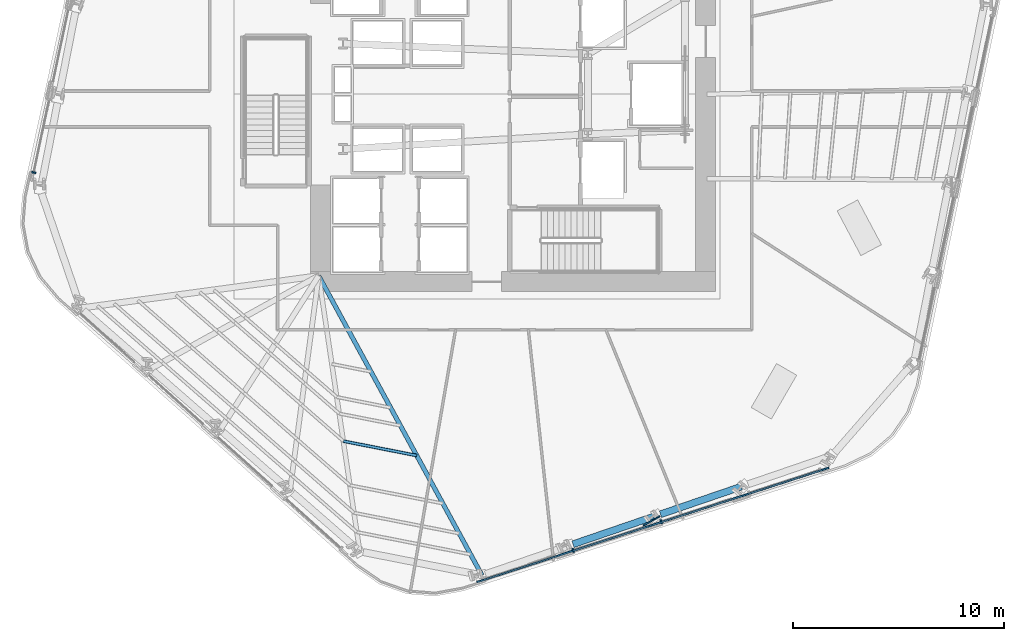
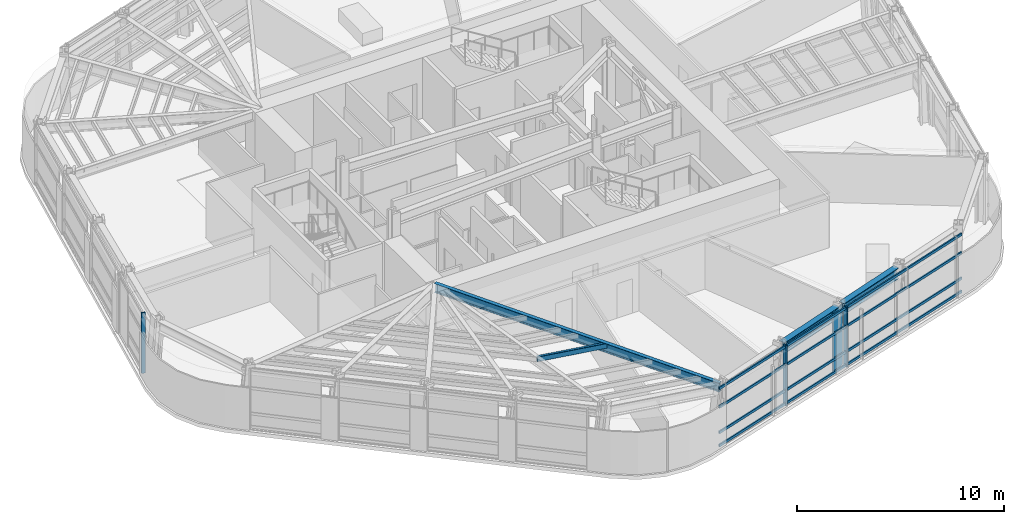
# One storey, part 3 of 16: 9 members, 3 beams, 2 elements without a shape of their own.
"""IFC4 building model written with IfcOpenShell, lengths in metres."""

from ifc_helpers import new_model, si_unit, direction, frame, origin, origin_2d, place, context, subcontext, project, spatial, rectangle, hollow_rectangle, i_section, extrude, material, layer, layer_set, material_profile, profile_set, type_object, element, aggregate, save


model = new_model("IFC4")

# Units and contexts
model_context = context("Model", 3, precision=1e-05, world=origin(), true_north=direction((0.0, 1.0)))
body_context = subcontext(model_context, "Body", "Model", "MODEL_VIEW")
ifc_project = project(units=[si_unit("LENGTHUNIT", "METRE"), si_unit("AREAUNIT", "SQUARE_METRE"), si_unit("VOLUMEUNIT", "CUBIC_METRE"), si_unit("PLANEANGLEUNIT", "RADIAN"), si_unit("MASSUNIT", "GRAM", prefix="KILO")], contexts=[model_context])

# Site, building, storey
site_placement = place(None, origin())
site = spatial("IfcSite", under=ifc_project, at=site_placement, CompositionType="ELEMENT")
building_placement = place(site_placement, origin())
building = spatial("IfcBuilding", under=site, at=building_placement, Name="Valkerne Bourse Tower", CompositionType="ELEMENT")
storey_placement = place(building_placement, frame((0.0, 0.0, 101.0)))
storey = spatial("IfcBuildingStorey", under=building, at=storey_placement, Name="L25", CompositionType="ELEMENT", Elevation=101.0)

# Beams
ifc_material_1 = material(Name="Steel ASTM A992", Category="steel")
ifc_material_profile_1 = material_profile(ifc_material_1, i_section(OverallWidth=0.209228515625, OverallDepth=0.533447265625, WebThickness=0.01025390625, FlangeThickness=0.015625, FilletRadius=0.017822265625, at=origin_2d()), Name="W21X62")
ifc_profile_set_1 = profile_set([ifc_material_profile_1], Name="Steel ASTM A992")
beam_type_1 = type_object("IfcBeamType", Name="BM-W21X62", PredefinedType="JOIST", material=ifc_profile_set_1)
beam_placement = place(storey_placement, frame((45.33740234375, 4.209716796875, 3.313232421875), z_axis=(-0.478718774735, 0.87796829938, 0.0), x_axis=(-0.87796829938, -0.478718774735, 0.0)))
element("IfcBeam", 1, at=beam_placement, inside=storey, type_object=beam_type_1, Name="L25 Radial Composite Floor Beam 20", PredefinedType="JOIST", context=body_context, shape_type="SweptSolid", body=[
    extrude(i_section(OverallWidth=0.209228515625, OverallDepth=0.533447265625, WebThickness=0.01025390625, FlangeThickness=0.015625, FilletRadius=0.017822265625, at=origin_2d()), origin(), (0.0, 0.0, 1.0), 16.16259765625),
])
ifc_material_profile_2 = material_profile(ifc_material_1, i_section(OverallWidth=0.330078125, OverallDepth=0.647705078125, WebThickness=0.0205078125, FlangeThickness=0.037109375, FilletRadius=0.020263671875, at=origin_2d()), Name="W24X192")
ifc_profile_set_2 = profile_set([ifc_material_profile_2], Name="Steel ASTM A992")
beam_type_2 = type_object("IfcBeamType", Name="BM-W24X192", PredefinedType="SPANDREL", material=ifc_profile_set_2)
for number, where, z_axis, x_axis, name in (
    (2, (49.644775390625, 5.6845703125, 3.256103515625), (0.946091935333, 0.323898209161, 0.0), (-0.323898209161, 0.946091935333, 0.0), "L25 Hexagonal Spandrel Ring Beam 21"),
    (3, (53.79150390625, 7.104248046875, 3.256103515625), (0.946091935333, 0.323898209161, 0.0), (-0.323898209161, 0.946091935333, 0.0), "L25 Hexagonal Spandrel Ring Beam 22"),
):
    element("IfcBeam", number, at=place(storey_placement, frame(where, z_axis=z_axis, x_axis=x_axis)), inside=storey, type_object=beam_type_2, Name=name, PredefinedType="SPANDREL", context=body_context, shape_type="SweptSolid", body=[
        extrude(i_section(OverallWidth=0.330078125, OverallDepth=0.647705078125, WebThickness=0.0205078125, FlangeThickness=0.037109375, FilletRadius=0.020263671875, at=origin_2d()), origin(), (0.0, 0.0, 1.0), 4.043212890625),
    ])

# Curtain wall, member
ifc_material_2 = material(Name="Aluminium AA 6063-T6", Category="aluminium")
ifc_layer = layer(ifc_material_2, 0.22998046875)
ifc_layer_set = layer_set([ifc_layer], Name="Aluminium AA 6063-T6")
curtain_wall_type = type_object("IfcCurtainWallType", Name="CW-02", PredefinedType="NOTDEFINED", material=ifc_layer_set)
curtain_wall_1_placement = place(storey_placement, origin())
curtain_wall_1 = element("IfcCurtainWall", 4, at=curtain_wall_1_placement, inside=storey, type_object=curtain_wall_type, Name="L25 Hexagonal Stick Curtain Wall Face 3", PredefinedType="NOTDEFINED")
ifc_material_profile_3 = material_profile(ifc_material_2, rectangle(XDim=0.074951171875, YDim=0.199951171875, at=origin_2d()), Name="CWM-75X200")
ifc_profile_set_3 = profile_set([ifc_material_profile_3], Name="Aluminium AA 6063-T6")
member_type_1 = type_object("IfcMemberType", Name="CW-MUL-220X75", PredefinedType="MULLION", material=ifc_profile_set_3)
member_1_placement = place(storey_placement, frame((24.105224609375, 23.29150390625, 0.0), z_axis=(0.0, 0.0, 1.0), x_axis=(-0.207913055801, -0.978147310597, 0.0)))
member_1 = element("IfcMember", 5, at=member_1_placement, type_object=member_type_1, Name="CW-L25-F3 Jamb Mullion 03B", PredefinedType="MULLION", context=body_context, shape_type="SweptSolid", body=[
    extrude(rectangle(XDim=0.074951171875, YDim=0.199951171875, at=origin_2d()), origin(), (0.0, 0.0, 1.0), 3.580078125),
])
aggregate(curtain_wall_1, [member_1])

# Curtain wall, members
curtain_wall_2_placement = place(storey_placement, origin())
curtain_wall_2 = element("IfcCurtainWall", 6, at=curtain_wall_2_placement, inside=storey, type_object=curtain_wall_type, Name="L25 Hexagonal Stick Curtain Wall Face 5", PredefinedType="NOTDEFINED")
member_2_placement = place(storey_placement, frame((49.652587890625, 5.396484375, 0.0), z_axis=(0.0, 0.0, 1.0), x_axis=(0.951058377242, 0.309011266911, 0.0)))
member_2 = element("IfcMember", 7, at=member_2_placement, type_object=member_type_1, Name="CW-L25-F5 Jamb Mullion 01A", PredefinedType="MULLION", context=body_context, shape_type="SweptSolid", body=[
    extrude(rectangle(XDim=0.074951171875, YDim=0.199951171875, at=origin_2d()), origin(), (0.0, 0.0, 1.0), 3.580078125),
])
member_3_placement = place(storey_placement, frame((53.821044921875, 6.750732421875, 0.0), z_axis=(0.0, 0.0, 1.0), x_axis=(0.951056198577, 0.309017972209, 0.0)))
member_3 = element("IfcMember", 8, at=member_3_placement, type_object=member_type_1, Name="CW-L25-F5 Jamb Mullion 02A", PredefinedType="MULLION", context=body_context, shape_type="SweptSolid", body=[
    extrude(rectangle(XDim=0.074951171875, YDim=0.199951171875, at=origin_2d()), origin(), (0.0, 0.0, 1.0), 3.580078125),
])
ifc_material_profile_4 = material_profile(ifc_material_2, rectangle(XDim=0.074951171875, YDim=0.14990234375, at=origin_2d()), Name="CWT-75X150")
ifc_profile_set_4 = profile_set([ifc_material_profile_4], Name="Aluminium AA 6063-T6")
member_type_2 = type_object("IfcMemberType", Name="CW-TRN-180X65", PredefinedType="USERDEFINED", material=ifc_profile_set_4)
member_4_placement = place(storey_placement, frame((45.0908203125, 3.89306640625, 0.1201171875), z_axis=(0.951055352246, 0.309020576925, 0.0), x_axis=(-0.309020576925, 0.951055352246, 0.0)))
member_4 = element("IfcMember", 9, at=member_4_placement, type_object=member_type_2, Name="CW-L25-F5 Continuous Face Transom 1", ObjectType="TRANSOM", PredefinedType="USERDEFINED", context=body_context, shape_type="SweptSolid", body=[
    extrude(rectangle(XDim=0.074951171875, YDim=0.14990234375, at=origin_2d()), origin(), (0.0, 0.0, 1.0), 17.531982421875),
])
member_5_placement = place(storey_placement, frame((45.0908203125, 3.89306640625, 0.89990234375), z_axis=(0.951055352246, 0.309020576925, 0.0), x_axis=(-0.309020576925, 0.951055352246, 0.0)))
member_5 = element("IfcMember", 10, at=member_5_placement, type_object=member_type_2, Name="CW-L25-F5 Continuous Face Transom 2", ObjectType="TRANSOM", PredefinedType="USERDEFINED", context=body_context, shape_type="SweptSolid", body=[
    extrude(rectangle(XDim=0.074951171875, YDim=0.14990234375, at=origin_2d()), origin(), (0.0, 0.0, 1.0), 17.531982421875),
])
member_6_placement = place(storey_placement, frame((45.0908203125, 3.89306640625, 2.39990234375), z_axis=(0.951055352246, 0.309020576925, 0.0), x_axis=(-0.309020576925, 0.951055352246, 0.0)))
member_6 = element("IfcMember", 11, at=member_6_placement, type_object=member_type_2, Name="CW-L25-F5 Continuous Face Transom 3", ObjectType="TRANSOM", PredefinedType="USERDEFINED", context=body_context, shape_type="SweptSolid", body=[
    extrude(rectangle(XDim=0.074951171875, YDim=0.14990234375, at=origin_2d()), origin(), (0.0, 0.0, 1.0), 17.531982421875),
])
member_7_placement = place(storey_placement, frame((45.0908203125, 3.89306640625, 3.5), z_axis=(0.951055352246, 0.309020576925, 0.0), x_axis=(-0.309020576925, 0.951055352246, 0.0)))
member_7 = element("IfcMember", 12, at=member_7_placement, type_object=member_type_2, Name="CW-L25-F5 Continuous Face Transom 4", ObjectType="TRANSOM", PredefinedType="USERDEFINED", context=body_context, shape_type="SweptSolid", body=[
    extrude(rectangle(XDim=0.074951171875, YDim=0.14990234375, at=origin_2d()), origin(), (0.0, 0.0, 1.0), 17.531982421875),
])
aggregate(curtain_wall_2, [member_4, member_5, member_6, member_7, member_2, member_3])

# Members
ifc_material_3 = material(Name="Bronze Anodised Aluminium AA 6063-T6", Category="aluminium")
ifc_material_profile_5 = material_profile(ifc_material_3, rectangle(XDim=0.070068359375, YDim=0.89990234375, at=origin_2d()), Name="FIN-70X900")
ifc_profile_set_5 = profile_set([ifc_material_profile_5], Name="Bronze Anodised Aluminium AA 6063-T6")
member_type_3 = type_object("IfcMemberType", Name="FIN-SOLAR-900", PredefinedType="USERDEFINED", material=ifc_profile_set_5)
member_8_placement = place(storey_placement, frame((53.365966796875, 6.792236328125, 0.00390625), z_axis=(0.0, 0.0, 1.0), x_axis=(0.492998168318, -0.870030347767, 0.0)))
element("IfcMember", 13, at=member_8_placement, inside=storey, type_object=member_type_3, Name="L25 Bronze Anodised Solar Fin F5-02", ObjectType="SOLAR_FIN", PredefinedType="USERDEFINED", context=body_context, shape_type="SweptSolid", body=[
    extrude(rectangle(XDim=0.070068359375, YDim=0.89990234375, at=origin_2d()), origin(), (0.0, 0.0, 1.0), 3.572021484375),
])
ifc_material_4 = material(Name="Steel ASTM A500 Grade C", Category="steel")
ifc_material_profile_6 = material_profile(ifc_material_4, hollow_rectangle(XDim=0.14990234375, YDim=0.300048828125, WallThickness=0.012451171875, OuterFilletRadius=0.02490234375, at=origin_2d()), Name="HSS300X150X12.5")
ifc_profile_set_6 = profile_set([ifc_material_profile_6], Name="Steel ASTM A500 Grade C")
member_type_4 = type_object("IfcMemberType", Name="MBR-HSS300X150X12.5", PredefinedType="PURLIN", material=ifc_profile_set_6)
member_9_placement = place(storey_placement, frame((38.765869140625, 10.56787109375, 3.419921875), z_axis=(0.981302777317, -0.192470411309, 0.0), x_axis=(0.192470411309, 0.981302777317, 0.0)))
element("IfcMember", 14, at=member_9_placement, inside=storey, type_object=member_type_4, Name="L25 Secondary Composite Floor Purlin Z-19", PredefinedType="PURLIN", context=body_context, shape_type="SweptSolid", body=[
    extrude(hollow_rectangle(XDim=0.14990234375, YDim=0.300048828125, WallThickness=0.012451171875, OuterFilletRadius=0.02490234375, at=origin_2d()), origin(), (0.0, 0.0, 1.0), 3.542724609375),
])

save(model, "model.ifc")
